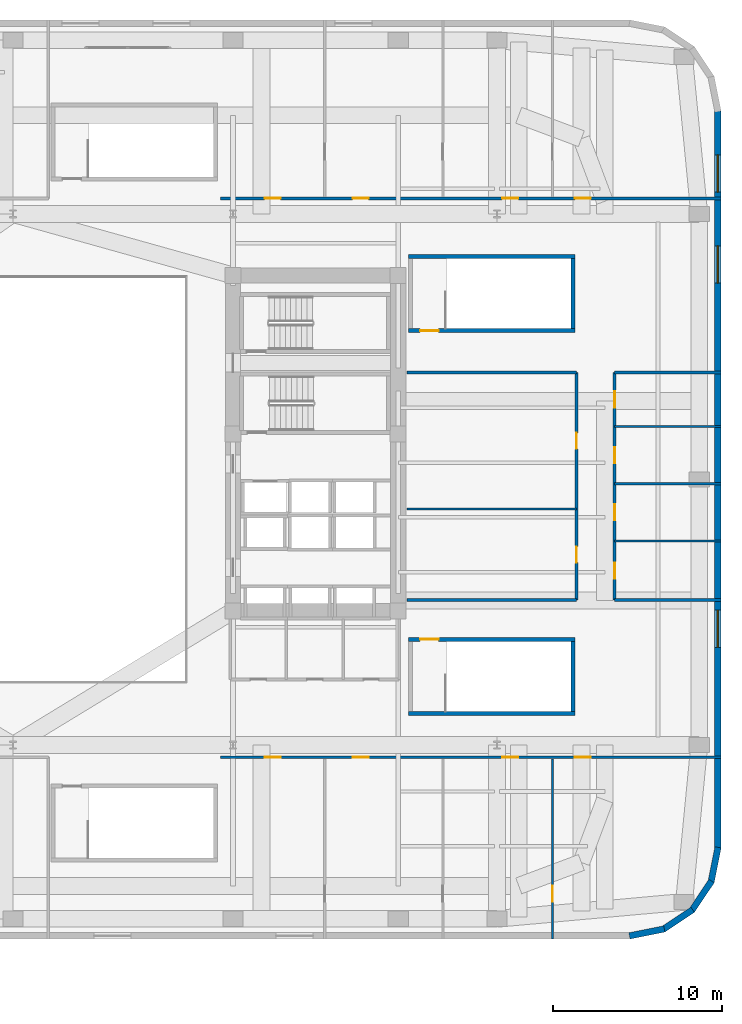
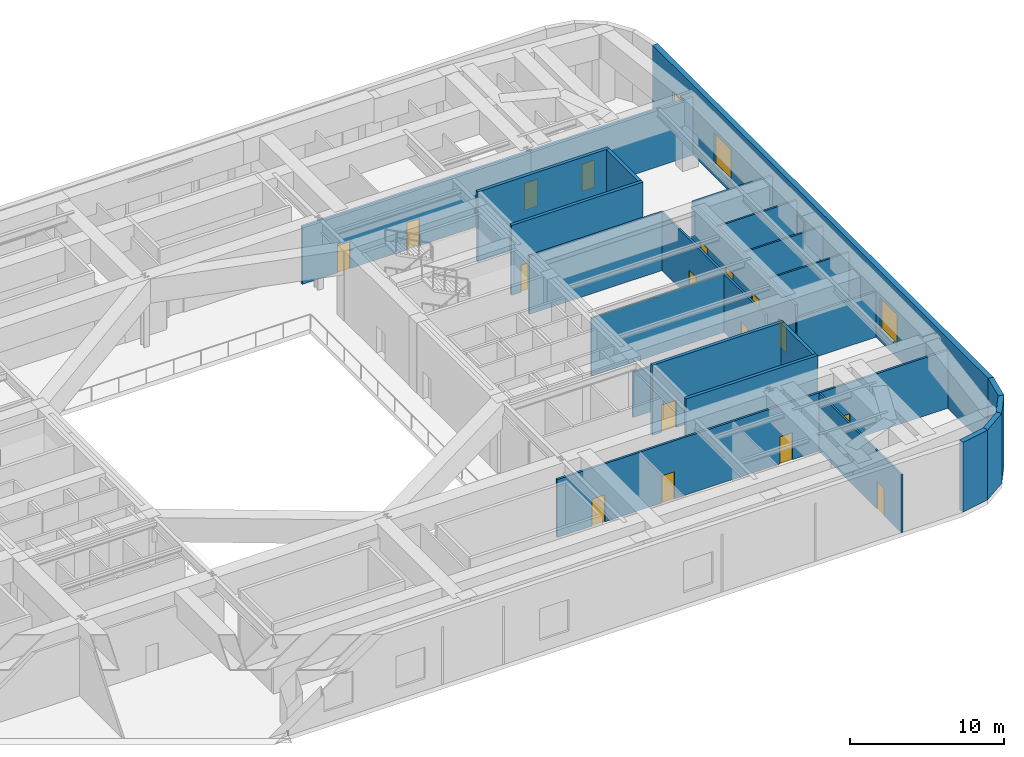
# One storey, part 10 of 16: 24 walls, 17 doors, 3 windows, 20 openings.
"""IFC4 building model written with IfcOpenShell, lengths in metres."""

from ifc_helpers import new_model, si_unit, direction, frame, frame_2d, origin, place, context, subcontext, project, spatial, rectangle, extrude, material, layer, layer_set, type_object, element, fill, save


model = new_model("IFC4")

# Units and contexts
model_context = context("Model", 3, precision=1e-05, world=origin(), true_north=direction((0.0, 1.0)))
body_context = subcontext(model_context, "Body", "Model", "MODEL_VIEW")
ifc_project = project(units=[si_unit("LENGTHUNIT", "METRE"), si_unit("AREAUNIT", "SQUARE_METRE"), si_unit("VOLUMEUNIT", "CUBIC_METRE"), si_unit("PLANEANGLEUNIT", "RADIAN"), si_unit("MASSUNIT", "GRAM", prefix="KILO")], contexts=[model_context])

# Site, building, storey
site_placement = place(None, origin())
site = spatial("IfcSite", under=ifc_project, at=site_placement, CompositionType="ELEMENT")
building_placement = place(site_placement, origin())
building = spatial("IfcBuilding", under=site, at=building_placement, Name="Kolvaren Arena Tower", CompositionType="ELEMENT")
storey_placement = place(building_placement, frame((0.0, 0.0, 28.0)))
storey = spatial("IfcBuildingStorey", under=building, at=storey_placement, Name="L05", CompositionType="ELEMENT", Elevation=28.0)

# Wall, openings, doors
ifc_material_1 = material(Name="Gypsum board acoustic assembly", Category="gypsum")
ifc_layer_1 = layer(ifc_material_1, 0.159912109375)
ifc_layer_set_1 = layer_set([ifc_layer_1], Name="Gypsum board acoustic assembly")
wall_type_1 = type_object("IfcWallType", Name="CORR-160", PredefinedType="PARTITIONING", material=ifc_layer_set_1)
wall_1_placement = place(storey_placement, frame((70.919921875, 20.10009765625, 0.0), z_axis=(0.0, 0.0, 1.0), x_axis=(0.0, 1.0, 0.0)))
wall_1 = element("IfcWall", 1, at=wall_1_placement, inside=storey, type_object=wall_type_1, Name="Interior Partition Wall (L05)", PredefinedType="PARTITIONING", context=body_context, shape_type="SweptSolid", body=[
    extrude(rectangle(XDim=13.5, YDim=0.159912109375, at=frame_2d((6.75, 0.0))), origin(), (0.0, 0.0, 1.0), 4.610107421875),
])
opening_1_placement = place(wall_1_placement, frame((2.219970703125, 0.0, 0.0)))
opening_1 = element("IfcOpeningElement", 2, at=opening_1_placement, cuts=wall_1, Name="Opening D05", PredefinedType="OPENING", context=body_context, shape_type="SweptSolid", body=[
    extrude(rectangle(XDim=0.949951171875, YDim=2.14990234375, at=frame_2d((0.47509765625, 1.074951171875))), frame((0.0, 0.08984375, 0.0), z_axis=(0.0, -1.0, 0.0), x_axis=(1.0, 0.0, 0.0)), (0.0, 0.0, 1.0), 0.179931640625),
])
opening_2_placement = place(wall_1_placement, frame((8.969970703125, 0.0, 0.0)))
opening_2 = element("IfcOpeningElement", 3, at=opening_2_placement, cuts=wall_1, Name="Opening D05", PredefinedType="OPENING", context=body_context, shape_type="SweptSolid", body=[
    extrude(rectangle(XDim=0.949951171875, YDim=2.14990234375, at=frame_2d((0.47509765625, 1.074951171875))), frame((0.0, 0.08984375, 0.0), z_axis=(0.0, -1.0, 0.0), x_axis=(1.0, 0.0, 0.0)), (0.0, 0.0, 1.0), 0.179931640625),
])
ifc_material_2 = material(Name="Solid-core oak acoustic office door", Category="wood")
door_type_1 = type_object("IfcDoorType", Name="DOOR-OF-095", OperationType="NOTDEFINED", PredefinedType="DOOR", material=ifc_material_2)
door_1_placement = place(opening_1_placement, origin())
door_1 = element("IfcDoor", 4, at=door_1_placement, inside=storey, type_object=door_type_1, Name="East Event Merchandise Store Door (L05)", OperationType="SINGLE_SWING_LEFT", OverallHeight=2.14990234375, OverallWidth=0.949951171875, PredefinedType="DOOR", context=body_context, shape_type="SweptSolid", body=[
    extrude(rectangle(XDim=0.949951171875, YDim=2.14990234375, at=frame_2d((0.47509765625, 1.074951171875))), frame((0.0, 0.02490234375, 0.0), z_axis=(0.0, -1.0, 0.0), x_axis=(1.0, 0.0, 0.0)), (0.0, 0.0, 1.0), 0.050048828125),
])
fill(opening_1, door_1)
door_2_placement = place(opening_2_placement, origin())
door_2 = element("IfcDoor", 5, at=door_2_placement, inside=storey, type_object=door_type_1, Name="East Concourse Club Bar Door (L05)", OperationType="SINGLE_SWING_RIGHT", OverallHeight=2.14990234375, OverallWidth=0.949951171875, PredefinedType="DOOR", context=body_context, shape_type="SweptSolid", body=[
    extrude(rectangle(XDim=0.949951171875, YDim=2.14990234375, at=frame_2d((0.47509765625, 1.074951171875))), frame((0.0, 0.02490234375, 0.0), z_axis=(0.0, -1.0, 0.0), x_axis=(1.0, 0.0, 0.0)), (0.0, 0.0, 1.0), 0.050048828125),
])
fill(opening_2, door_2)

wall_2_placement = place(storey_placement, frame((73.179931640625, 20.10009765625, 0.0), z_axis=(0.0, 0.0, 1.0), x_axis=(0.0, 1.0, 0.0)))
wall_2 = element("IfcWall", 6, at=wall_2_placement, inside=storey, type_object=wall_type_1, Name="Interior Partition Wall (L05)", PredefinedType="PARTITIONING", context=body_context, shape_type="SweptSolid", body=[
    extrude(rectangle(XDim=13.5, YDim=0.159912109375, at=frame_2d((6.75, 0.0))), origin(), (0.0, 0.0, 1.0), 4.610107421875),
])
opening_3_placement = place(wall_2_placement, frame((1.27001953125, 0.0, 0.0)))
opening_3 = element("IfcOpeningElement", 7, at=opening_3_placement, cuts=wall_2, Name="Opening D05", PredefinedType="OPENING", context=body_context, shape_type="SweptSolid", body=[
    extrude(rectangle(XDim=0.949951171875, YDim=2.14990234375, at=frame_2d((0.47509765625, 1.074951171875))), frame((0.0, 0.08984375, 0.0), z_axis=(0.0, -1.0, 0.0), x_axis=(1.0, 0.0, 0.0)), (0.0, 0.0, 1.0), 0.179931640625),
])
opening_4_placement = place(wall_2_placement, frame((4.719970703125, 0.0, 0.0)))
opening_4 = element("IfcOpeningElement", 8, at=opening_4_placement, cuts=wall_2, Name="Opening D05", PredefinedType="OPENING", context=body_context, shape_type="SweptSolid", body=[
    extrude(rectangle(XDim=0.949951171875, YDim=2.14990234375, at=frame_2d((0.47509765625, 1.074951171875))), frame((0.0, 0.08984375, 0.0), z_axis=(0.0, -1.0, 0.0), x_axis=(1.0, 0.0, 0.0)), (0.0, 0.0, 1.0), 0.179931640625),
])
opening_5_placement = place(wall_2_placement, frame((8.1201171875, 0.0, 0.0)))
opening_5 = element("IfcOpeningElement", 9, at=opening_5_placement, cuts=wall_2, Name="Opening D05", PredefinedType="OPENING", context=body_context, shape_type="SweptSolid", body=[
    extrude(rectangle(XDim=0.949951171875, YDim=2.14990234375, at=frame_2d((0.47509765625, 1.074951171875))), frame((0.0, 0.08984375, 0.0), z_axis=(0.0, -1.0, 0.0), x_axis=(1.0, 0.0, 0.0)), (0.0, 0.0, 1.0), 0.179931640625),
])
opening_6_placement = place(wall_2_placement, frame((11.419921875, 0.0, 0.0)))
opening_6 = element("IfcOpeningElement", 10, at=opening_6_placement, cuts=wall_2, Name="Opening D05", PredefinedType="OPENING", context=body_context, shape_type="SweptSolid", body=[
    extrude(rectangle(XDim=0.949951171875, YDim=2.14990234375, at=frame_2d((0.47509765625, 1.074951171875))), frame((0.0, 0.08984375, 0.0), z_axis=(0.0, -1.0, 0.0), x_axis=(1.0, 0.0, 0.0)), (0.0, 0.0, 1.0), 0.179931640625),
])
door_3_placement = place(opening_3_placement, origin())
door_3 = element("IfcDoor", 11, at=door_3_placement, inside=storey, type_object=door_type_1, Name="Design Studio Door (L05)", OperationType="SINGLE_SWING_RIGHT", OverallHeight=2.14990234375, OverallWidth=0.949951171875, PredefinedType="DOOR", context=body_context, shape_type="SweptSolid", body=[
    extrude(rectangle(XDim=0.949951171875, YDim=2.14990234375, at=frame_2d((0.47509765625, 1.074951171875))), frame((0.0, 0.02490234375, 0.0), z_axis=(0.0, -1.0, 0.0), x_axis=(1.0, 0.0, 0.0)), (0.0, 0.0, 1.0), 0.050048828125),
])
fill(opening_3, door_3)
door_4_placement = place(opening_4_placement, origin())
door_4 = element("IfcDoor", 12, at=door_4_placement, inside=storey, type_object=door_type_1, Name="Copy and Print Room Door (L05)", OperationType="SINGLE_SWING_RIGHT", OverallHeight=2.14990234375, OverallWidth=0.949951171875, PredefinedType="DOOR", context=body_context, shape_type="SweptSolid", body=[
    extrude(rectangle(XDim=0.949951171875, YDim=2.14990234375, at=frame_2d((0.47509765625, 1.074951171875))), frame((0.0, 0.02490234375, 0.0), z_axis=(0.0, -1.0, 0.0), x_axis=(1.0, 0.0, 0.0)), (0.0, 0.0, 1.0), 0.050048828125),
])
fill(opening_4, door_4)
door_5_placement = place(opening_5_placement, origin())
door_5 = element("IfcDoor", 13, at=door_5_placement, inside=storey, type_object=door_type_1, Name="Boardroom Door (L05)", OperationType="SINGLE_SWING_RIGHT", OverallHeight=2.14990234375, OverallWidth=0.949951171875, PredefinedType="DOOR", context=body_context, shape_type="SweptSolid", body=[
    extrude(rectangle(XDim=0.949951171875, YDim=2.14990234375, at=frame_2d((0.47509765625, 1.074951171875))), frame((0.0, 0.02490234375, 0.0), z_axis=(0.0, -1.0, 0.0), x_axis=(1.0, 0.0, 0.0)), (0.0, 0.0, 1.0), 0.050048828125),
])
fill(opening_5, door_5)
door_6_placement = place(opening_6_placement, origin())
door_6 = element("IfcDoor", 14, at=door_6_placement, inside=storey, type_object=door_type_1, Name="Breakout Pantry and Kitchen Door (L05)", OperationType="SINGLE_SWING_RIGHT", OverallHeight=2.14990234375, OverallWidth=0.949951171875, PredefinedType="DOOR", context=body_context, shape_type="SweptSolid", body=[
    extrude(rectangle(XDim=0.949951171875, YDim=2.14990234375, at=frame_2d((0.47509765625, 1.074951171875))), frame((0.0, 0.02490234375, 0.0), z_axis=(0.0, -1.0, 0.0), x_axis=(1.0, 0.0, 0.0)), (0.0, 0.0, 1.0), 0.050048828125),
])
fill(opening_6, door_6)

# Walls
wall_3_placement = place(storey_placement, frame((60.8798828125, 20.10009765625, 0.0), z_axis=(0.0, 0.0, 1.0), x_axis=(1.0, 0.0, 0.0)))
element("IfcWall", 15, at=wall_3_placement, inside=storey, type_object=wall_type_1, Name="Interior Partition Wall (L05)", PredefinedType="PARTITIONING", context=body_context, shape_type="SweptSolid", body=[
    extrude(rectangle(XDim=10.0400390625, YDim=0.159912109375, at=frame_2d((5.02001953125, 0.0))), origin(), (0.0, 0.0, 1.0), 3.60009765625),
])
wall_4_placement = place(storey_placement, frame((60.8798828125, 33.60009765625, 0.0), z_axis=(0.0, 0.0, 1.0), x_axis=(1.0, 0.0, 0.0)))
element("IfcWall", 16, at=wall_4_placement, inside=storey, type_object=wall_type_1, Name="Interior Partition Wall (L05)", PredefinedType="PARTITIONING", context=body_context, shape_type="SweptSolid", body=[
    extrude(rectangle(XDim=10.0400390625, YDim=0.159912109375, at=frame_2d((5.02001953125, 0.0))), origin(), (0.0, 0.0, 1.0), 4.610107421875),
])
wall_5_placement = place(storey_placement, frame((73.179931640625, 20.10009765625, 0.0), z_axis=(0.0, 0.0, 1.0), x_axis=(1.0, 0.0, 0.0)))
element("IfcWall", 17, at=wall_5_placement, inside=storey, type_object=wall_type_1, Name="Interior Partition Wall (L05)", PredefinedType="PARTITIONING", context=body_context, shape_type="SweptSolid", body=[
    extrude(rectangle(XDim=6.320068359375, YDim=0.159912109375, at=frame_2d((3.16015625, 0.0))), origin(), (0.0, 0.0, 1.0), 3.60009765625),
])
wall_6_placement = place(storey_placement, frame((73.179931640625, 33.60009765625, 0.0), z_axis=(0.0, 0.0, 1.0), x_axis=(1.0, 0.0, 0.0)))
element("IfcWall", 18, at=wall_6_placement, inside=storey, type_object=wall_type_1, Name="Interior Partition Wall (L05)", PredefinedType="PARTITIONING", context=body_context, shape_type="SweptSolid", body=[
    extrude(rectangle(XDim=6.320068359375, YDim=0.159912109375, at=frame_2d((3.16015625, 0.0))), origin(), (0.0, 0.0, 1.0), 4.610107421875),
])

# Wall, openings, doors
wall_7_placement = place(storey_placement, frame((49.800048828125, 10.780029296875, 0.0), z_axis=(0.0, 0.0, 1.0), x_axis=(1.0, 0.0, 0.0)))
wall_7 = element("IfcWall", 19, at=wall_7_placement, inside=storey, type_object=wall_type_1, Name="Interior Partition Wall (L05)", PredefinedType="PARTITIONING", context=body_context, shape_type="SweptSolid", body=[
    extrude(rectangle(XDim=29.699951171875, YDim=0.159912109375, at=frame_2d((14.85009765625, 0.0))), origin(), (0.0, 0.0, 1.0), 4.610107421875),
])
opening_7_placement = place(wall_7_placement, frame((2.6201171875, 0.0, 0.0)))
opening_7 = element("IfcOpeningElement", 20, at=opening_7_placement, cuts=wall_7, Name="Opening D05", PredefinedType="OPENING", context=body_context, shape_type="SweptSolid", body=[
    extrude(rectangle(XDim=0.949951171875, YDim=2.14990234375, at=frame_2d((0.47509765625, 1.074951171875))), frame((0.0, 0.08984375, 0.0), z_axis=(0.0, -1.0, 0.0), x_axis=(1.0, 0.0, 0.0)), (0.0, 0.0, 1.0), 0.179931640625),
])
opening_8_placement = place(wall_7_placement, frame((7.85009765625, 0.0, 0.0)))
opening_8 = element("IfcOpeningElement", 21, at=opening_8_placement, cuts=wall_7, Name="Opening D05", PredefinedType="OPENING", context=body_context, shape_type="SweptSolid", body=[
    extrude(rectangle(XDim=0.949951171875, YDim=2.14990234375, at=frame_2d((0.47509765625, 1.074951171875))), frame((0.0, 0.08984375, 0.0), z_axis=(0.0, -1.0, 0.0), x_axis=(1.0, 0.0, 0.0)), (0.0, 0.0, 1.0), 0.179931640625),
])
opening_9_placement = place(wall_7_placement, frame((16.717529296875, 0.0, 0.0)))
opening_9 = element("IfcOpeningElement", 22, at=opening_9_placement, cuts=wall_7, Name="Opening D05", PredefinedType="OPENING", context=body_context, shape_type="SweptSolid", body=[
    extrude(rectangle(XDim=0.949951171875, YDim=2.14990234375, at=frame_2d((0.47509765625, 1.074951171875))), frame((0.0, 0.08984375, 0.0), z_axis=(0.0, -1.0, 0.0), x_axis=(1.0, 0.0, 0.0)), (0.0, 0.0, 1.0), 0.179931640625),
])
opening_10_placement = place(wall_7_placement, frame((21.02001953125, 0.0, 0.0)))
opening_10 = element("IfcOpeningElement", 23, at=opening_10_placement, cuts=wall_7, Name="Opening D05", PredefinedType="OPENING", context=body_context, shape_type="SweptSolid", body=[
    extrude(rectangle(XDim=0.949951171875, YDim=2.14990234375, at=frame_2d((0.47509765625, 1.074951171875))), frame((0.0, 0.08984375, 0.0), z_axis=(0.0, -1.0, 0.0), x_axis=(1.0, 0.0, 0.0)), (0.0, 0.0, 1.0), 0.179931640625),
])
door_7_placement = place(opening_7_placement, origin())
door_7 = element("IfcDoor", 24, at=door_7_placement, inside=storey, type_object=door_type_1, Name="South-East Dining Hall Door (L05)", OperationType="SINGLE_SWING_LEFT", OverallHeight=2.14990234375, OverallWidth=0.949951171875, PredefinedType="DOOR", context=body_context, shape_type="SweptSolid", body=[
    extrude(rectangle(XDim=0.949951171875, YDim=2.14990234375, at=frame_2d((0.47509765625, 1.074951171875))), frame((0.0, 0.02490234375, 0.0), z_axis=(0.0, -1.0, 0.0), x_axis=(1.0, 0.0, 0.0)), (0.0, 0.0, 1.0), 0.050048828125),
])
fill(opening_7, door_7)
door_8_placement = place(opening_8_placement, origin())
door_8 = element("IfcDoor", 25, at=door_8_placement, inside=storey, type_object=door_type_1, Name="Beverage Commissary Door (L05)", OperationType="SINGLE_SWING_RIGHT", OverallHeight=2.14990234375, OverallWidth=0.949951171875, PredefinedType="DOOR", context=body_context, shape_type="SweptSolid", body=[
    extrude(rectangle(XDim=0.949951171875, YDim=2.14990234375, at=frame_2d((0.47509765625, 1.074951171875))), frame((0.0, 0.02490234375, 0.0), z_axis=(0.0, -1.0, 0.0), x_axis=(1.0, 0.0, 0.0)), (0.0, 0.0, 1.0), 0.050048828125),
])
fill(opening_8, door_8)
door_9_placement = place(opening_9_placement, origin())
door_9 = element("IfcDoor", 26, at=door_9_placement, inside=storey, type_object=door_type_1, Name="Event Ticketing Salon Door (L05)", OperationType="SINGLE_SWING_LEFT", OverallHeight=2.14990234375, OverallWidth=0.949951171875, PredefinedType="DOOR", context=body_context, shape_type="SweptSolid", body=[
    extrude(rectangle(XDim=0.949951171875, YDim=2.14990234375, at=frame_2d((0.47509765625, 1.074951171875))), frame((0.0, 0.02490234375, 0.0), z_axis=(0.0, -1.0, 0.0), x_axis=(1.0, 0.0, 0.0)), (0.0, 0.0, 1.0), 0.050048828125),
])
fill(opening_9, door_9)
door_10_placement = place(opening_10_placement, origin())
door_10 = element("IfcDoor", 27, at=door_10_placement, inside=storey, type_object=door_type_1, Name="Executive Office Door (L05)", OperationType="SINGLE_SWING_RIGHT", OverallHeight=2.14990234375, OverallWidth=0.949951171875, PredefinedType="DOOR", context=body_context, shape_type="SweptSolid", body=[
    extrude(rectangle(XDim=0.949951171875, YDim=2.14990234375, at=frame_2d((0.47509765625, 1.074951171875))), frame((0.0, 0.02490234375, 0.0), z_axis=(0.0, -1.0, 0.0), x_axis=(1.0, 0.0, 0.0)), (0.0, 0.0, 1.0), 0.050048828125),
])
fill(opening_10, door_10)

wall_8_placement = place(storey_placement, frame((49.800048828125, 43.919921875, 0.0), z_axis=(0.0, 0.0, 1.0), x_axis=(1.0, 0.0, 0.0)))
wall_8 = element("IfcWall", 28, at=wall_8_placement, inside=storey, type_object=wall_type_1, Name="Interior Partition Wall (L05)", PredefinedType="PARTITIONING", context=body_context, shape_type="SweptSolid", body=[
    extrude(rectangle(XDim=29.699951171875, YDim=0.159912109375, at=frame_2d((14.85009765625, 0.0))), origin(), (0.0, 0.0, 1.0), 4.610107421875),
])
opening_11_placement = place(wall_8_placement, frame((2.6201171875, 0.0, 0.0)))
opening_11 = element("IfcOpeningElement", 29, at=opening_11_placement, cuts=wall_8, Name="Opening D05", PredefinedType="OPENING", context=body_context, shape_type="SweptSolid", body=[
    extrude(rectangle(XDim=0.949951171875, YDim=2.14990234375, at=frame_2d((0.47509765625, 1.074951171875))), frame((0.0, 0.08984375, 0.0), z_axis=(0.0, -1.0, 0.0), x_axis=(1.0, 0.0, 0.0)), (0.0, 0.0, 1.0), 0.179931640625),
])
opening_12_placement = place(wall_8_placement, frame((7.85009765625, 0.0, 0.0)))
opening_12 = element("IfcOpeningElement", 30, at=opening_12_placement, cuts=wall_8, Name="Opening D05", PredefinedType="OPENING", context=body_context, shape_type="SweptSolid", body=[
    extrude(rectangle(XDim=0.949951171875, YDim=2.14990234375, at=frame_2d((0.47509765625, 1.074951171875))), frame((0.0, 0.08984375, 0.0), z_axis=(0.0, -1.0, 0.0), x_axis=(1.0, 0.0, 0.0)), (0.0, 0.0, 1.0), 0.179931640625),
])
opening_13_placement = place(wall_8_placement, frame((16.717529296875, 0.0, 0.0)))
opening_13 = element("IfcOpeningElement", 31, at=opening_13_placement, cuts=wall_8, Name="Opening D05", PredefinedType="OPENING", context=body_context, shape_type="SweptSolid", body=[
    extrude(rectangle(XDim=0.949951171875, YDim=2.14990234375, at=frame_2d((0.47509765625, 1.074951171875))), frame((0.0, 0.08984375, 0.0), z_axis=(0.0, -1.0, 0.0), x_axis=(1.0, 0.0, 0.0)), (0.0, 0.0, 1.0), 0.179931640625),
])
opening_14_placement = place(wall_8_placement, frame((21.02001953125, 0.0, 0.0)))
opening_14 = element("IfcOpeningElement", 32, at=opening_14_placement, cuts=wall_8, Name="Opening D05", PredefinedType="OPENING", context=body_context, shape_type="SweptSolid", body=[
    extrude(rectangle(XDim=0.949951171875, YDim=2.14990234375, at=frame_2d((0.47509765625, 1.074951171875))), frame((0.0, 0.08984375, 0.0), z_axis=(0.0, -1.0, 0.0), x_axis=(1.0, 0.0, 0.0)), (0.0, 0.0, 1.0), 0.179931640625),
])
door_11_placement = place(opening_11_placement, origin())
door_11 = element("IfcDoor", 33, at=door_11_placement, inside=storey, type_object=door_type_1, Name="North-East Sponsor Hall Door (L05)", OperationType="SINGLE_SWING_LEFT", OverallHeight=2.14990234375, OverallWidth=0.949951171875, PredefinedType="DOOR", context=body_context, shape_type="SweptSolid", body=[
    extrude(rectangle(XDim=0.949951171875, YDim=2.14990234375, at=frame_2d((0.47509765625, 1.074951171875))), frame((0.0, 0.02490234375, 0.0), z_axis=(0.0, -1.0, 0.0), x_axis=(1.0, 0.0, 0.0)), (0.0, 0.0, 1.0), 0.050048828125),
])
fill(opening_11, door_11)
door_12_placement = place(opening_12_placement, origin())
door_12 = element("IfcDoor", 34, at=door_12_placement, inside=storey, type_object=door_type_1, Name="Media Hospitality Room Door (L05)", OperationType="SINGLE_SWING_RIGHT", OverallHeight=2.14990234375, OverallWidth=0.949951171875, PredefinedType="DOOR", context=body_context, shape_type="SweptSolid", body=[
    extrude(rectangle(XDim=0.949951171875, YDim=2.14990234375, at=frame_2d((0.47509765625, 1.074951171875))), frame((0.0, 0.02490234375, 0.0), z_axis=(0.0, -1.0, 0.0), x_axis=(1.0, 0.0, 0.0)), (0.0, 0.0, 1.0), 0.050048828125),
])
fill(opening_12, door_12)
door_13_placement = place(opening_13_placement, origin())
door_13 = element("IfcDoor", 35, at=door_13_placement, inside=storey, type_object=door_type_1, Name="VIP Merchandise Room Door (L05)", OperationType="SINGLE_SWING_LEFT", OverallHeight=2.14990234375, OverallWidth=0.949951171875, PredefinedType="DOOR", context=body_context, shape_type="SweptSolid", body=[
    extrude(rectangle(XDim=0.949951171875, YDim=2.14990234375, at=frame_2d((0.47509765625, 1.074951171875))), frame((0.0, 0.02490234375, 0.0), z_axis=(0.0, -1.0, 0.0), x_axis=(1.0, 0.0, 0.0)), (0.0, 0.0, 1.0), 0.050048828125),
])
fill(opening_13, door_13)
door_14_placement = place(opening_14_placement, origin())
door_14 = element("IfcDoor", 36, at=door_14_placement, inside=storey, type_object=door_type_1, Name="Training Seminar Room Door (L05)", OperationType="SINGLE_SWING_RIGHT", OverallHeight=2.14990234375, OverallWidth=0.949951171875, PredefinedType="DOOR", context=body_context, shape_type="SweptSolid", body=[
    extrude(rectangle(XDim=0.949951171875, YDim=2.14990234375, at=frame_2d((0.47509765625, 1.074951171875))), frame((0.0, 0.02490234375, 0.0), z_axis=(0.0, -1.0, 0.0), x_axis=(1.0, 0.0, 0.0)), (0.0, 0.0, 1.0), 0.050048828125),
])
fill(opening_14, door_14)

# Walls
ifc_material_3 = material(Name="Precast concrete C50/60", Category="concrete")
ifc_layer_2 = layer(ifc_material_3, 0.3798828125)
ifc_layer_set_2 = layer_set([ifc_layer_2], Name="Precast concrete C50/60")
wall_type_2 = type_object("IfcWallType", Name="EXT-ARENA", PredefinedType="SOLIDWALL", material=ifc_layer_set_2)
for number, where, z_axis, x_axis, name in (
    (37, (76.12939453125, 0.597412109375, 0.0), (0.0, 0.0, 1.0), (-0.9807762837, -0.195135546048, 0.0), "Exterior Precast Masonry-Frame Wall (L05)"),
    (38, (77.812744140625, 1.739501953125, 0.0), (0.0, 0.0, 1.0), (-0.831515102434, -0.555502146192, 0.0), "Exterior Precast Masonry-Frame Wall (L05)"),
    (39, (78.930908203125, 3.439208984375, 0.0), (0.0, 0.0, 1.0), (-0.555502146192, -0.831515102434, 0.0), "Exterior Precast Masonry-Frame Wall (L05)"),
    (40, (79.313720703125, 5.43701171875, 0.0), (0.0, 0.0, 1.0), (-0.195135546048, -0.9807762837, 0.0), "Exterior Precast Masonry-Frame Wall (L05)"),
):
    element("IfcWall", number, at=place(storey_placement, frame(where, z_axis=z_axis, x_axis=x_axis)), inside=storey, type_object=wall_type_2, Name=name, PredefinedType="SOLIDWALL", context=body_context, shape_type="SweptSolid", body=[
        extrude(rectangle(XDim=2.10693359375, YDim=0.3798828125, at=frame_2d((1.053466796875, 0.0))), origin(), (0.0, 0.0, 1.0), 5.550048828125),
    ])

# Wall, openings, windows
wall_9_placement = place(storey_placement, frame((79.31005859375, 49.10009765625, 0.0), z_axis=(0.0, 0.0, 1.0), x_axis=(0.0, -1.0, 0.0)))
wall_9 = element("IfcWall", 41, at=wall_9_placement, inside=storey, type_object=wall_type_2, Name="Exterior Precast Masonry-Frame Wall (L05)", PredefinedType="SOLIDWALL", context=body_context, shape_type="SweptSolid", body=[
    extrude(rectangle(XDim=43.7001953125, YDim=0.3798828125, at=frame_2d((21.85009765625, 0.0))), origin(), (0.0, 0.0, 1.0), 5.550048828125),
])
opening_15_placement = place(wall_9_placement, frame((2.60009765625, 0.0, 0.949951171875)))
opening_15 = element("IfcOpeningElement", 42, at=opening_15_placement, cuts=wall_9, Name="Opening W07", PredefinedType="OPENING", context=body_context, shape_type="SweptSolid", body=[
    extrude(rectangle(XDim=2.199951171875, YDim=2.5, at=frame_2d((1.10009765625, 1.25))), frame((0.0, 0.199951171875, 0.0), z_axis=(0.0, -1.0, 0.0), x_axis=(1.0, 0.0, 0.0)), (0.0, 0.0, 1.0), 0.39990234375),
])
opening_16_placement = place(wall_9_placement, frame((8.0, 0.0, 0.949951171875)))
opening_16 = element("IfcOpeningElement", 43, at=opening_16_placement, cuts=wall_9, Name="Opening W07", PredefinedType="OPENING", context=body_context, shape_type="SweptSolid", body=[
    extrude(rectangle(XDim=2.199951171875, YDim=2.5, at=frame_2d((1.10009765625, 1.25))), frame((0.0, 0.199951171875, 0.0), z_axis=(0.0, -1.0, 0.0), x_axis=(1.0, 0.0, 0.0)), (0.0, 0.0, 1.0), 0.39990234375),
])
opening_17_placement = place(wall_9_placement, frame((29.60009765625, 0.0, 0.949951171875)))
opening_17 = element("IfcOpeningElement", 44, at=opening_17_placement, cuts=wall_9, Name="Opening W07", PredefinedType="OPENING", context=body_context, shape_type="SweptSolid", body=[
    extrude(rectangle(XDim=2.199951171875, YDim=2.5, at=frame_2d((1.10009765625, 1.25))), frame((0.0, 0.199951171875, 0.0), z_axis=(0.0, -1.0, 0.0), x_axis=(1.0, 0.0, 0.0)), (0.0, 0.0, 1.0), 0.39990234375),
])
ifc_material_4 = material(Name="Triple-glazed arena concourse window", Category="glass")
window_type = type_object("IfcWindowType", Name="WIN-POD-A", PartitioningType="DOUBLE_PANEL_VERTICAL", PredefinedType="WINDOW", material=ifc_material_4)
window_1_placement = place(opening_15_placement, origin())
window_1 = element("IfcWindow", 45, at=window_1_placement, inside=storey, type_object=window_type, Name="Punched Precast-Pier Window (L05)", OverallHeight=2.5, OverallWidth=2.199951171875, PartitioningType="DOUBLE_PANEL_VERTICAL", PredefinedType="WINDOW", context=body_context, shape_type="SweptSolid", body=[
    extrude(rectangle(XDim=2.199951171875, YDim=2.5, at=frame_2d((1.10009765625, 1.25))), frame((0.0, 0.030029296875, 0.0), z_axis=(0.0, -1.0, 0.0), x_axis=(1.0, 0.0, 0.0)), (0.0, 0.0, 1.0), 0.06005859375),
])
fill(opening_15, window_1)
window_2_placement = place(opening_16_placement, origin())
window_2 = element("IfcWindow", 46, at=window_2_placement, inside=storey, type_object=window_type, Name="Punched Precast-Pier Window (L05)", OverallHeight=2.5, OverallWidth=2.199951171875, PartitioningType="DOUBLE_PANEL_VERTICAL", PredefinedType="WINDOW", context=body_context, shape_type="SweptSolid", body=[
    extrude(rectangle(XDim=2.199951171875, YDim=2.5, at=frame_2d((1.10009765625, 1.25))), frame((0.0, 0.030029296875, 0.0), z_axis=(0.0, -1.0, 0.0), x_axis=(1.0, 0.0, 0.0)), (0.0, 0.0, 1.0), 0.06005859375),
])
fill(opening_16, window_2)
window_3_placement = place(opening_17_placement, origin())
window_3 = element("IfcWindow", 47, at=window_3_placement, inside=storey, type_object=window_type, Name="Punched Precast-Pier Window (L05)", OverallHeight=2.5, OverallWidth=2.199951171875, PartitioningType="DOUBLE_PANEL_VERTICAL", PredefinedType="WINDOW", context=body_context, shape_type="SweptSolid", body=[
    extrude(rectangle(XDim=2.199951171875, YDim=2.5, at=frame_2d((1.10009765625, 1.25))), frame((0.0, 0.030029296875, 0.0), z_axis=(0.0, -1.0, 0.0), x_axis=(1.0, 0.0, 0.0)), (0.0, 0.0, 1.0), 0.06005859375),
])
fill(opening_17, window_3)

# Walls
ifc_material_5 = material(Name="Gypsum board partition assembly", Category="gypsum")
ifc_layer_3 = layer(ifc_material_5, 0.135009765625)
ifc_layer_set_3 = layer_set([ifc_layer_3], Name="Gypsum board partition assembly")
wall_type_3 = type_object("IfcWallType", Name="PART-135", PredefinedType="PARTITIONING", material=ifc_layer_set_3)
for number, where, z_axis, x_axis, name in (
    (48, (73.179931640625, 23.60009765625, 0.0), (0.0, 0.0, 1.0), (1.0, 0.0, 0.0), "Interior Partition Wall (L05)"),
    (49, (73.179931640625, 27.0, 0.0), (0.0, 0.0, 1.0), (1.0, 0.0, 0.0), "Interior Partition Wall (L05)"),
    (50, (73.179931640625, 30.39990234375, 0.0), (0.0, 0.0, 1.0), (1.0, 0.0, 0.0), "Interior Partition Wall (L05)"),
):
    element("IfcWall", number, at=place(storey_placement, frame(where, z_axis=z_axis, x_axis=x_axis)), inside=storey, type_object=wall_type_3, Name=name, PredefinedType="PARTITIONING", context=body_context, shape_type="SweptSolid", body=[
        extrude(rectangle(XDim=6.320068359375, YDim=0.135009765625, at=frame_2d((3.16015625, 0.0))), origin(), (0.0, 0.0, 1.0), 4.610107421875),
    ])
wall_10_placement = place(storey_placement, frame((60.8798828125, 25.5, 0.0), z_axis=(0.0, 0.0, 1.0), x_axis=(1.0, 0.0, 0.0)))
element("IfcWall", 51, at=wall_10_placement, inside=storey, type_object=wall_type_3, Name="Interior Partition Wall (L05)", PredefinedType="PARTITIONING", context=body_context, shape_type="SweptSolid", body=[
    extrude(rectangle(XDim=10.0400390625, YDim=0.135009765625, at=frame_2d((5.02001953125, 0.0))), origin(), (0.0, 0.0, 1.0), 4.610107421875),
])

# Wall, opening, door
wall_11_placement = place(storey_placement, frame((69.5, 0.0, 0.0), z_axis=(0.0, 0.0, 1.0), x_axis=(0.0, 1.0, 0.0)))
wall_11 = element("IfcWall", 52, at=wall_11_placement, inside=storey, type_object=wall_type_3, Name="Interior Partition Wall (L05)", PredefinedType="PARTITIONING", context=body_context, shape_type="SweptSolid", body=[
    extrude(rectangle(XDim=10.68994140625, YDim=0.135009765625, at=frame_2d((5.344970703125, 0.0))), origin(), (0.0, 0.0, 1.0), 4.610107421875),
])
opening_18_placement = place(wall_11_placement, frame((2.199951171875, 0.0, 0.0)))
opening_18 = element("IfcOpeningElement", 53, at=opening_18_placement, cuts=wall_11, Name="Opening D05", PredefinedType="OPENING", context=body_context, shape_type="SweptSolid", body=[
    extrude(rectangle(XDim=0.949951171875, YDim=2.14990234375, at=frame_2d((0.47509765625, 1.074951171875))), frame((0.0, 0.077392578125, 0.0), z_axis=(0.0, -1.0, 0.0), x_axis=(1.0, 0.0, 0.0)), (0.0, 0.0, 1.0), 0.155029296875),
])
door_15_placement = place(opening_18_placement, origin())
door_15 = element("IfcDoor", 54, at=door_15_placement, inside=storey, type_object=door_type_1, Name="Event Ticketing Salon Connecting Door (L05)", OperationType="SINGLE_SWING_LEFT", OverallHeight=2.14990234375, OverallWidth=0.949951171875, PredefinedType="DOOR", context=body_context, shape_type="SweptSolid", body=[
    extrude(rectangle(XDim=0.949951171875, YDim=2.14990234375, at=frame_2d((0.47509765625, 1.074951171875))), frame((0.0, 0.02490234375, 0.0), z_axis=(0.0, -1.0, 0.0), x_axis=(1.0, 0.0, 0.0)), (0.0, 0.0, 1.0), 0.050048828125),
])
fill(opening_18, door_15)

ifc_material_6 = material(Name="Concrete 45 MPa", Category="concrete")
ifc_layer_4 = layer(ifc_material_6, 0.25)
ifc_layer_set_4 = layer_set([ifc_layer_4], Name="Concrete 45 MPa")
wall_type_4 = type_object("IfcWallType", Name="SHAFT-250", PredefinedType="SOLIDWALL", material=ifc_layer_set_4)
wall_12_placement = place(storey_placement, frame((60.9599609375, 17.77001953125, 0.0), z_axis=(0.0, 0.0, 1.0), x_axis=(1.0, 0.0, 0.0)))
wall_12 = element("IfcWall", 55, at=wall_12_placement, inside=storey, type_object=wall_type_4, Name="Stair ST-A4 Rated Enclosure Wall (L05)", PredefinedType="SOLIDWALL", context=body_context, shape_type="SweptSolid", body=[
    extrude(rectangle(XDim=9.880126953125, YDim=0.239990234375, at=frame_2d((4.93994140625, 0.0))), origin(), (0.0, 0.0, 1.0), 5.550048828125),
])
opening_19_placement = place(wall_12_placement, frame((0.68994140625, 0.0, 0.0)))
opening_19 = element("IfcOpeningElement", 56, at=opening_19_placement, cuts=wall_12, Name="Opening D03", PredefinedType="OPENING", context=body_context, shape_type="SweptSolid", body=[
    extrude(rectangle(XDim=1.10009765625, YDim=2.14990234375, at=frame_2d((0.550048828125, 1.074951171875))), frame((0.0, 0.1298828125, 0.0), z_axis=(0.0, -1.0, 0.0), x_axis=(1.0, 0.0, 0.0)), (0.0, 0.0, 1.0), 0.260009765625),
])
ifc_material_7 = material(Name="Fire-rated steel exit stair door", Category="steel")
door_type_2 = type_object("IfcDoorType", Name="DOOR-ST-110", OperationType="NOTDEFINED", PredefinedType="DOOR", material=ifc_material_7)
door_16_placement = place(opening_19_placement, origin())
door_16 = element("IfcDoor", 57, at=door_16_placement, inside=storey, type_object=door_type_2, Name="Exit Stair ST-A4 Fire Door (L05)", OperationType="SINGLE_SWING_RIGHT", OverallHeight=2.14990234375, OverallWidth=1.10009765625, PredefinedType="DOOR", context=body_context, shape_type="SweptSolid", body=[
    extrude(rectangle(XDim=1.10009765625, YDim=2.14990234375, at=frame_2d((0.550048828125, 1.074951171875))), frame((0.0, 0.02490234375, 0.0), z_axis=(0.0, -1.0, 0.0), x_axis=(1.0, 0.0, 0.0)), (0.0, 0.0, 1.0), 0.050048828125),
])
fill(opening_19, door_16)

# Walls
wall_13_placement = place(storey_placement, frame((60.9599609375, 13.3798828125, 0.0), z_axis=(0.0, 0.0, 1.0), x_axis=(1.0, 0.0, 0.0)))
element("IfcWall", 58, at=wall_13_placement, inside=storey, type_object=wall_type_4, Name="Stair ST-A4 Rear Shaft Wall (L05)", PredefinedType="SOLIDWALL", context=body_context, shape_type="SweptSolid", body=[
    extrude(rectangle(XDim=9.880126953125, YDim=0.239990234375, at=frame_2d((4.93994140625, 0.0))), origin(), (0.0, 0.0, 1.0), 5.550048828125),
])
wall_14_placement = place(storey_placement, frame((70.719970703125, 13.5, 0.0), z_axis=(0.0, 0.0, 1.0), x_axis=(0.0, 1.0, 0.0)))
element("IfcWall", 59, at=wall_14_placement, inside=storey, type_object=wall_type_4, Name="Stair ST-A4 East Shaft Wall (L05)", PredefinedType="SOLIDWALL", context=body_context, shape_type="SweptSolid", body=[
    extrude(rectangle(XDim=4.14990234375, YDim=0.239990234375, at=frame_2d((2.074951171875, 0.0))), origin(), (0.0, 0.0, 1.0), 5.550048828125),
])

# Wall, opening, door
wall_15_placement = place(storey_placement, frame((70.840087890625, 36.080078125, 0.0), z_axis=(0.0, 0.0, 1.0), x_axis=(-1.0, 0.0, 0.0)))
wall_15 = element("IfcWall", 60, at=wall_15_placement, inside=storey, type_object=wall_type_4, Name="Stair ST-A8 Rated Enclosure Wall (L05)", PredefinedType="SOLIDWALL", context=body_context, shape_type="SweptSolid", body=[
    extrude(rectangle(XDim=9.880126953125, YDim=0.239990234375, at=frame_2d((4.93994140625, 0.0))), origin(), (0.0, 0.0, 1.0), 5.550048828125),
])
opening_20_placement = place(wall_15_placement, frame((8.090087890625, 0.0, 0.0)))
opening_20 = element("IfcOpeningElement", 61, at=opening_20_placement, cuts=wall_15, Name="Opening D03", PredefinedType="OPENING", context=body_context, shape_type="SweptSolid", body=[
    extrude(rectangle(XDim=1.10009765625, YDim=2.14990234375, at=frame_2d((0.550048828125, 1.074951171875))), frame((0.0, 0.1298828125, 0.0), z_axis=(0.0, -1.0, 0.0), x_axis=(1.0, 0.0, 0.0)), (0.0, 0.0, 1.0), 0.260009765625),
])
door_17_placement = place(opening_20_placement, origin())
door_17 = element("IfcDoor", 62, at=door_17_placement, inside=storey, type_object=door_type_2, Name="Exit Stair ST-A8 Fire Door (L05)", OperationType="SINGLE_SWING_RIGHT", OverallHeight=2.14990234375, OverallWidth=1.10009765625, PredefinedType="DOOR", context=body_context, shape_type="SweptSolid", body=[
    extrude(rectangle(XDim=1.10009765625, YDim=2.14990234375, at=frame_2d((0.550048828125, 1.074951171875))), frame((0.0, 0.02490234375, 0.0), z_axis=(0.0, -1.0, 0.0), x_axis=(1.0, 0.0, 0.0)), (0.0, 0.0, 1.0), 0.050048828125),
])
fill(opening_20, door_17)

# Walls
wall_16_placement = place(storey_placement, frame((60.9599609375, 40.469970703125, 0.0), z_axis=(0.0, 0.0, 1.0), x_axis=(1.0, 0.0, 0.0)))
element("IfcWall", 63, at=wall_16_placement, inside=storey, type_object=wall_type_4, Name="Stair ST-A8 Rear Shaft Wall (L05)", PredefinedType="SOLIDWALL", context=body_context, shape_type="SweptSolid", body=[
    extrude(rectangle(XDim=9.880126953125, YDim=0.239990234375, at=frame_2d((4.93994140625, 0.0))), origin(), (0.0, 0.0, 1.0), 5.550048828125),
])
wall_17_placement = place(storey_placement, frame((70.719970703125, 36.199951171875, 0.0), z_axis=(0.0, 0.0, 1.0), x_axis=(0.0, 1.0, 0.0)))
element("IfcWall", 64, at=wall_17_placement, inside=storey, type_object=wall_type_4, Name="Stair ST-A8 East Shaft Wall (L05)", PredefinedType="SOLIDWALL", context=body_context, shape_type="SweptSolid", body=[
    extrude(rectangle(XDim=4.150146484375, YDim=0.239990234375, at=frame_2d((2.0751953125, 0.0))), origin(), (0.0, 0.0, 1.0), 5.550048828125),
])

save(model, "model.ifc")
